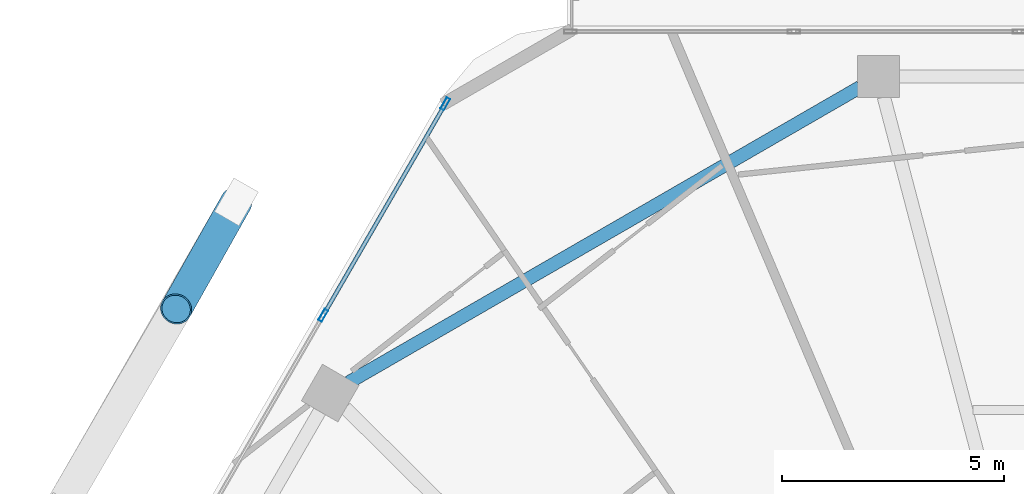
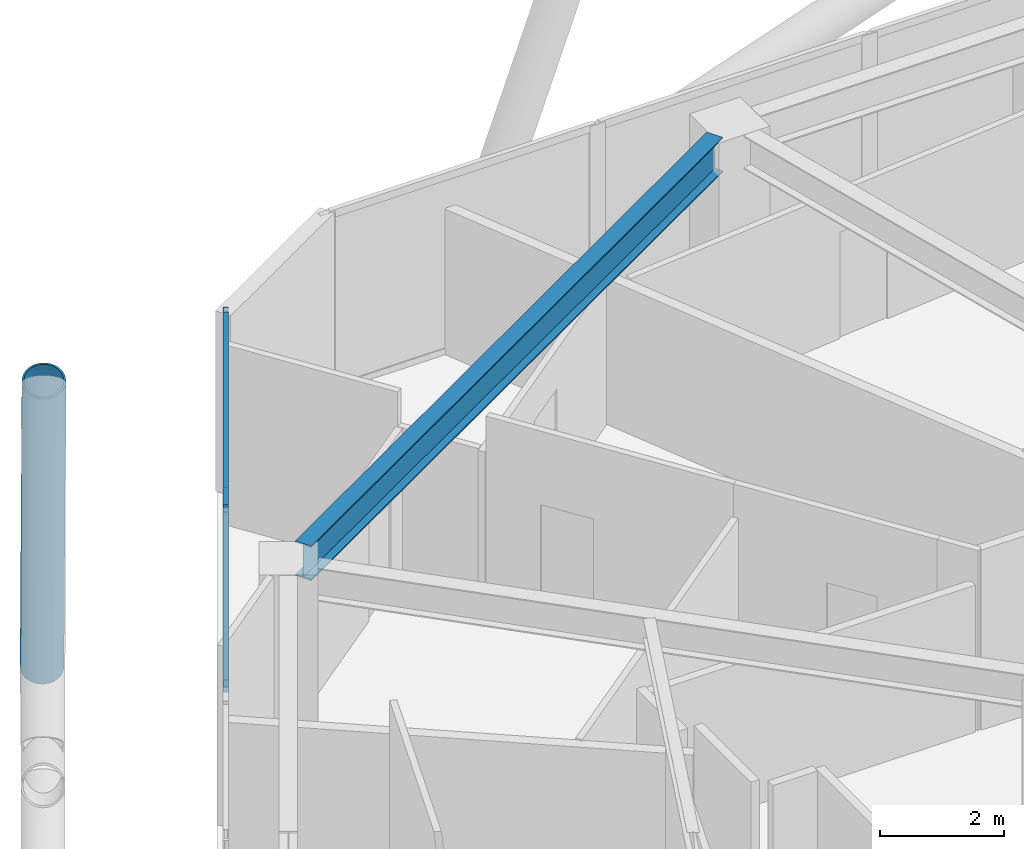
# One storey, part 13 of 28: 5 members, 1 beam, 1 element without a shape of its own.
"""IFC4 building model written with IfcOpenShell, lengths in metres."""

from ifc_helpers import new_model, si_unit, direction, frame, origin, origin_2d, place, context, subcontext, project, spatial, hollow_rectangle, hollow_circle, i_section, extrude, material, material_profile, profile_set, type_object, element, aggregate, save


model = new_model("IFC4")

# Units and contexts
model_context = context("Model", 3, precision=1e-05, world=origin(), true_north=direction((0.0, 1.0)))
body_context = subcontext(model_context, "Body", "Model", "MODEL_VIEW")
ifc_project = project(units=[si_unit("LENGTHUNIT", "METRE"), si_unit("AREAUNIT", "SQUARE_METRE"), si_unit("VOLUMEUNIT", "CUBIC_METRE"), si_unit("PLANEANGLEUNIT", "RADIAN"), si_unit("MASSUNIT", "GRAM", prefix="KILO")], contexts=[model_context])

# Site, building, storey
site_placement = place(None, origin())
site = spatial("IfcSite", under=ifc_project, at=site_placement, CompositionType="ELEMENT")
building_placement = place(site_placement, origin())
building = spatial("IfcBuilding", under=site, at=building_placement, Name="Zuhravey Tower", CompositionType="ELEMENT")
storey_placement = place(building_placement, frame((0.0, 0.0, 207.39990234375)))
storey = spatial("IfcBuildingStorey", under=building, at=storey_placement, Name="L52", CompositionType="ELEMENT", Elevation=207.39990234375)

# Curtain wall, members
ifc_material_1 = material(Name="Thermally broken anodised aluminium", Category="aluminium")
curtain_wall_type = type_object("IfcCurtainWallType", Name="Zone 1-2 Residential Curtain Wall CW3", PredefinedType="NOTDEFINED", material=ifc_material_1)
curtain_wall_placement = place(storey_placement, origin())
curtain_wall = element("IfcCurtainWall", 1, at=curtain_wall_placement, inside=storey, type_object=curtain_wall_type, Name="L52 CW3 CW-L52-F3-1", PredefinedType="NOTDEFINED")
ifc_material_2 = material(Name="Anodised aluminium", Category="aluminium")
ifc_material_profile_1 = material_profile(ifc_material_2, hollow_rectangle(XDim=0.090087890625, YDim=0.284912109375, WallThickness=0.0048828125, at=origin_2d()), Name="ALU-RHS-90x285x5")
ifc_profile_set_1 = profile_set([ifc_material_profile_1], Name="Anodised aluminium")
member_type_1 = type_object("IfcMemberType", Name="Curtain-Wall Mullion 90x180", PredefinedType="MULLION", material=ifc_profile_set_1)
member_1_placement = place(storey_placement, frame((16.6171875, 52.7939453125, 0.0), z_axis=(0.0, 0.0, 1.0), x_axis=(-0.866025138215, 0.500000459979, 0.0)))
member_1 = element("IfcMember", 2, at=member_1_placement, type_object=member_type_1, Name="CW3 mullion 5", PredefinedType="MULLION", context=body_context, shape_type="SweptSolid", body=[
    extrude(hollow_rectangle(XDim=0.090087890625, YDim=0.284912109375, WallThickness=0.0048828125, at=origin_2d()), origin(), (0.0, 0.0, 1.0), 3.550048828125),
])
member_2_placement = place(storey_placement, frame((19.36669921875, 57.556640625, 0.0), z_axis=(0.0, 0.0, 1.0), x_axis=(-0.866025138215, 0.500000459979, 0.0)))
member_2 = element("IfcMember", 3, at=member_2_placement, type_object=member_type_1, Name="CW3 mullion 6", PredefinedType="MULLION", context=body_context, shape_type="SweptSolid", body=[
    extrude(hollow_rectangle(XDim=0.090087890625, YDim=0.284912109375, WallThickness=0.0048828125, at=origin_2d()), origin(), (0.0, 0.0, 1.0), 3.550048828125),
])
ifc_material_profile_2 = material_profile(ifc_material_2, hollow_rectangle(XDim=0.090087890625, YDim=0.14990234375, WallThickness=0.0048828125, at=origin_2d()), Name="ALU-RHS-90x150x5")
ifc_profile_set_2 = profile_set([ifc_material_profile_2], Name="Anodised aluminium")
member_type_2 = type_object("IfcMemberType", Name="Curtain-Wall Transom 90x150", PredefinedType="USERDEFINED", material=ifc_profile_set_2)
member_3_placement = place(storey_placement, frame((16.6396484375, 52.8330078125, 0.045166015625), z_axis=(0.499993332629, 0.866029253159, 0.0), x_axis=(-0.866029253159, 0.499993332629, 0.0)))
member_3 = element("IfcMember", 4, at=member_3_placement, type_object=member_type_2, Name="CW3 transom 5.1", ObjectType="TRANSOM", PredefinedType="USERDEFINED", context=body_context, shape_type="SweptSolid", body=[
    extrude(hollow_rectangle(XDim=0.090087890625, YDim=0.14990234375, WallThickness=0.0048828125, at=origin_2d()), origin(), (0.0, 0.0, 1.0), 5.4091796875),
])
member_4_placement = place(storey_placement, frame((16.6396484375, 52.8330078125, 3.505126953125), z_axis=(0.499993332629, 0.866029253159, 0.0), x_axis=(-0.866029253159, 0.499993332629, 0.0)))
member_4 = element("IfcMember", 5, at=member_4_placement, type_object=member_type_2, Name="CW3 transom 5.2", ObjectType="TRANSOM", PredefinedType="USERDEFINED", context=body_context, shape_type="SweptSolid", body=[
    extrude(hollow_rectangle(XDim=0.090087890625, YDim=0.14990234375, WallThickness=0.0048828125, at=origin_2d()), origin(), (0.0, 0.0, 1.0), 5.4091796875),
])
aggregate(curtain_wall, [member_1, member_2, member_3, member_4])

# Member
ifc_material_3 = material(Name="Steel SM460", Category="steel")
ifc_material_profile_3 = material_profile(ifc_material_3, hollow_circle(Radius=0.355712890625, WallThickness=0.031982421875, at=origin_2d()), Name="CHS-711.2x32")
ifc_profile_set_3 = profile_set([ifc_material_profile_3], Name="Steel SM460")
member_type_3 = type_object("IfcMemberType", Name="Exoskeleton Zone 2 Diagrid CHS711x32", PredefinedType="BRACE", material=ifc_profile_set_3)
member_5_placement = place(storey_placement, frame((14.660400390625, 55.344970703125, -0.44384765625), z_axis=(-0.16821244009, -0.298778056347, 0.939380779048), x_axis=(0.871388810392, -0.490593050424, 0.0)))
element("IfcMember", 6, at=member_5_placement, inside=storey, type_object=member_type_3, Name="L52 Face 3 Diagrid Brace 1", PredefinedType="BRACE", context=body_context, shape_type="SweptSolid", body=[
    extrude(hollow_circle(Radius=0.355712890625, WallThickness=0.031982421875, at=origin_2d()), origin(), (0.0, 0.0, 1.0), 8.0478515625),
])

# Beam
ifc_material_4 = material(Name="Steel SM355", Category="steel")
ifc_material_profile_4 = material_profile(ifc_material_4, i_section(OverallWidth=0.300048828125, OverallDepth=0.679931640625, WebThickness=0.012939453125, FlangeThickness=0.02197265625, at=origin_2d()), Name="H-680x300x13x22")
ifc_profile_set_4 = profile_set([ifc_material_profile_4], Name="Steel SM355")
beam_type = type_object("IfcBeamType", Name="Perimeter Ring Beam H680x300", PredefinedType="BEAM", material=ifc_profile_set_4)
beam_placement = place(storey_placement, frame((28.7041015625, 57.93408203125, 3.210205078125), z_axis=(-0.866029041019, -0.499993700073, 0.0), x_axis=(0.499993700073, -0.866029041019, 0.0)))
element("IfcBeam", 7, at=beam_placement, inside=storey, type_object=beam_type, Name="L52 PB2 BM-L52-PB-04", PredefinedType="BEAM", context=body_context, shape_type="SweptSolid", body=[
    extrude(i_section(OverallWidth=0.300048828125, OverallDepth=0.679931640625, WebThickness=0.012939453125, FlangeThickness=0.02197265625, at=origin_2d()), origin(), (0.0, 0.0, 1.0), 13.297119140625),
])

save(model, "model.ifc")
